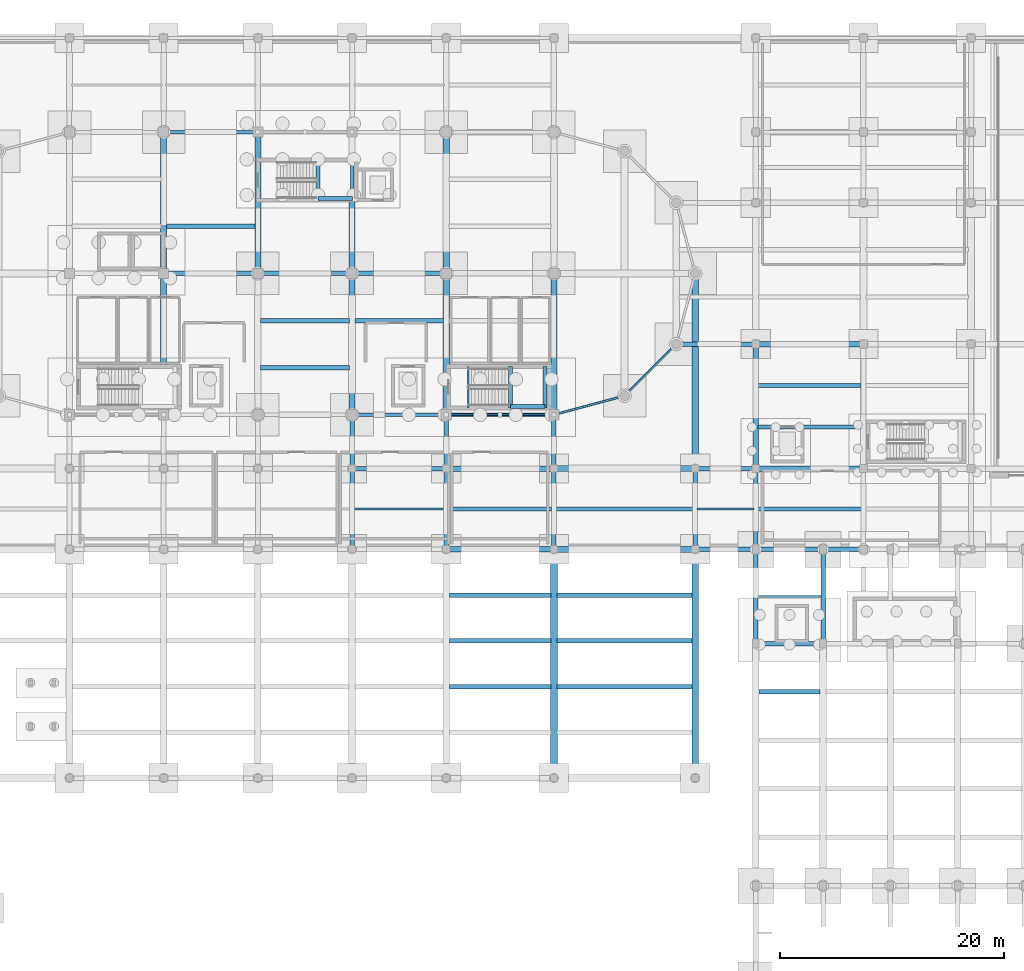
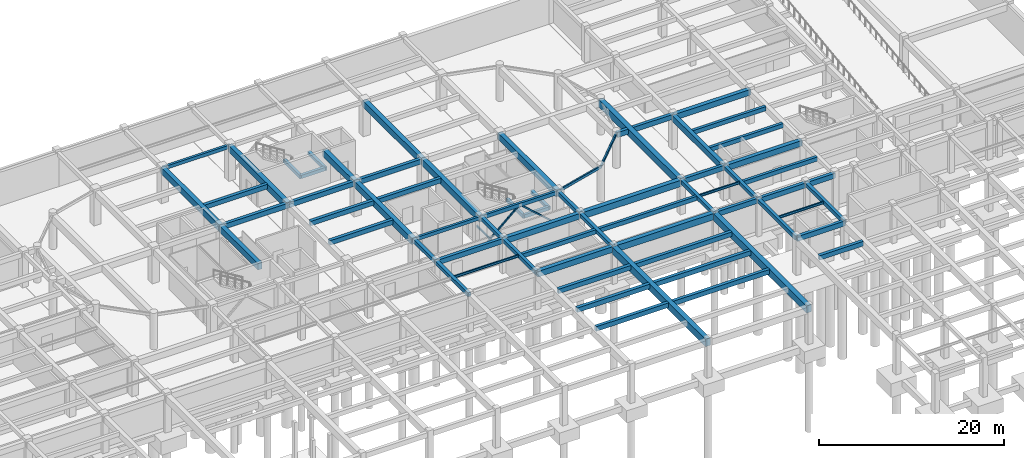
# One storey, part 17 of 37: 68 beams, 3 members.
"""IFC4 building model written with IfcOpenShell, lengths in metres."""

from ifc_helpers import new_model, si_unit, direction, frame, origin, origin_2d, place, context, subcontext, project, spatial, rectangle, hollow_rectangle, i_section, extrude, material, material_profile, profile_set, type_object, element, save


model = new_model("IFC4")

# Units and contexts
model_context = context("Model", 3, precision=1e-05, world=origin(), true_north=direction((0.0, 1.0)))
body_context = subcontext(model_context, "Body", "Model", "MODEL_VIEW")
ifc_project = project(units=[si_unit("LENGTHUNIT", "METRE"), si_unit("AREAUNIT", "SQUARE_METRE"), si_unit("VOLUMEUNIT", "CUBIC_METRE"), si_unit("PLANEANGLEUNIT", "RADIAN"), si_unit("MASSUNIT", "GRAM", prefix="KILO")], contexts=[model_context])

# Site, building, storey
site_placement = place(None, origin())
site = spatial("IfcSite", under=ifc_project, at=site_placement, CompositionType="ELEMENT")
building_placement = place(site_placement, origin())
building = spatial("IfcBuilding", under=site, at=building_placement, Name="Tarnavel Promenade Courthouse", CompositionType="ELEMENT")
storey_placement = place(building_placement, frame((0.0, 0.0, -4.800048828125)))
storey = spatial("IfcBuildingStorey", under=building, at=storey_placement, Name="B01", CompositionType="ELEMENT", Elevation=-4.800048828125)

# Beams
ifc_material_1 = material(Name="Concrete C40/50", Category="concrete")
ifc_material_profile_1 = material_profile(ifc_material_1, rectangle(XDim=0.35009765625, YDim=0.550048828125, at=origin_2d()), Name="PT 350x550")
ifc_profile_set_1 = profile_set([ifc_material_profile_1], Name="Concrete C40/50")
beam_type_1 = type_object("IfcBeamType", Name="Concrete C40/50 BM-PT-350x550 (PT 350x550)", PredefinedType="JOIST", material=ifc_profile_set_1)
beam_1_placement = place(storey_placement, frame((92.570068359375, 70.800048828125, 4.239990234375), z_axis=(1.0, 0.0, 0.0), x_axis=(0.0, 1.0, 0.0)))
element("IfcBeam", 1, at=beam_1_placement, inside=storey, type_object=beam_type_1, Name="B01 Secondary Floor Rib 0407", PredefinedType="JOIST", context=body_context, shape_type="SweptSolid", body=[
    extrude(rectangle(XDim=0.35009765625, YDim=0.550048828125, at=origin_2d()), origin(), (0.0, 0.0, 1.0), 9.260009765625),
])
beam_2_placement = place(storey_placement, frame((102.169921875, 70.800048828125, 4.239990234375), z_axis=(1.0, 0.0, 0.0), x_axis=(0.0, 1.0, 0.0)))
element("IfcBeam", 2, at=beam_2_placement, inside=storey, type_object=beam_type_1, Name="B01 Secondary Floor Rib 0408", PredefinedType="JOIST", context=body_context, shape_type="SweptSolid", body=[
    extrude(rectangle(XDim=0.35009765625, YDim=0.550048828125, at=origin_2d()), origin(), (0.0, 0.0, 1.0), 12.260009765625),
])
beam_3_placement = place(storey_placement, frame((120.169921875, 70.800048828125, 4.179931640625), z_axis=(1.0, 0.0, 0.0), x_axis=(0.0, 1.0, 0.0)))
element("IfcBeam", 3, at=beam_3_placement, inside=storey, type_object=beam_type_1, Name="B01 Secondary Floor Rib 0410", PredefinedType="JOIST", context=body_context, shape_type="SweptSolid", body=[
    extrude(rectangle(XDim=0.35009765625, YDim=0.550048828125, at=origin_2d()), origin(), (0.0, 0.0, 1.0), 9.260009765625),
])
for number, where, z_axis, x_axis, name in (
    (4, (120.219970703125, 78.10009765625, 4.179931640625), (1.0, 0.0, 0.0), (0.0, 1.0, 0.0), "B01 Secondary Floor Rib 0422"),
    (5, (120.219970703125, 81.800048828125, 4.179931640625), (1.0, 0.0, 0.0), (0.0, 1.0, 0.0), "B01 Secondary Floor Rib 0423"),
):
    element("IfcBeam", number, at=place(storey_placement, frame(where, z_axis=z_axis, x_axis=x_axis)), inside=storey, type_object=beam_type_1, Name=name, PredefinedType="JOIST", context=body_context, shape_type="SweptSolid", body=[
        extrude(rectangle(XDim=0.35009765625, YDim=0.550048828125, at=origin_2d()), origin(), (0.0, 0.0, 1.0), 9.159912109375),
    ])
ifc_material_profile_2 = material_profile(ifc_material_1, rectangle(XDim=0.39990234375, YDim=0.60009765625, at=origin_2d()), Name="PT 400x600")
ifc_profile_set_2 = profile_set([ifc_material_profile_2], Name="Concrete C40/50")
beam_type_2 = type_object("IfcBeamType", Name="Concrete C40/50 BM-PT-400x600 (PT 400x600)", PredefinedType="JOIST", material=ifc_profile_set_2)
for number, where, z_axis, x_axis, name in (
    (6, (92.669921875, 54.9599609375, 4.215087890625), (1.0, 0.0, 0.0), (0.0, 1.0, 0.0), "B01 Secondary Floor Rib 0489"),
    (7, (92.669921875, 59.0400390625, 4.215087890625), (1.0, 0.0, 0.0), (0.0, 1.0, 0.0), "B01 Secondary Floor Rib 0490"),
    (8, (92.669921875, 63.1201171875, 4.215087890625), (1.0, 0.0, 0.0), (0.0, 1.0, 0.0), "B01 Secondary Floor Rib 0491"),
):
    element("IfcBeam", number, at=place(storey_placement, frame(where, z_axis=z_axis, x_axis=x_axis)), inside=storey, type_object=beam_type_2, Name=name, PredefinedType="JOIST", context=body_context, shape_type="SweptSolid", body=[
        extrude(rectangle(XDim=0.39990234375, YDim=0.60009765625, at=origin_2d()), origin(), (0.0, 0.0, 1.0), 9.06005859375),
    ])
for number, where, z_axis, x_axis, name in (
    (9, (102.27001953125, 54.9599609375, 4.215087890625), (1.0, 0.0, 0.0), (0.0, 1.0, 0.0), "B01 Secondary Floor Rib 0493"),
    (10, (102.27001953125, 59.0400390625, 4.215087890625), (1.0, 0.0, 0.0), (0.0, 1.0, 0.0), "B01 Secondary Floor Rib 0494"),
    (11, (102.27001953125, 63.1201171875, 4.215087890625), (1.0, 0.0, 0.0), (0.0, 1.0, 0.0), "B01 Secondary Floor Rib 0495"),
):
    element("IfcBeam", number, at=place(storey_placement, frame(where, z_axis=z_axis, x_axis=x_axis)), inside=storey, type_object=beam_type_2, Name=name, PredefinedType="JOIST", context=body_context, shape_type="SweptSolid", body=[
        extrude(rectangle(XDim=0.39990234375, YDim=0.60009765625, at=origin_2d()), origin(), (0.0, 0.0, 1.0), 12.06005859375),
    ])
for number, where, z_axis, x_axis, name in (
    (12, (75.844970703125, 83.39990234375, 4.215087890625), (1.0, 0.0, 0.0), (0.0, 1.0, 0.0), "B01 Secondary Floor Rib 0496"),
    (13, (75.844970703125, 87.60009765625, 4.215087890625), (1.0, 0.0, 0.0), (0.0, 1.0, 0.0), "B01 Secondary Floor Rib 0497"),
    (14, (84.2451171875, 87.60009765625, 4.215087890625), (1.0, 0.0, 0.0), (0.0, 1.0, 0.0), "B01 Secondary Floor Rib 0498"),
    (15, (67.445068359375, 96.0, 4.215087890625), (1.0, 0.0, 0.0), (0.0, 1.0, 0.0), "B01 Secondary Floor Rib 0502"),
):
    element("IfcBeam", number, at=place(storey_placement, frame(where, z_axis=z_axis, x_axis=x_axis)), inside=storey, type_object=beam_type_2, Name=name, PredefinedType="JOIST", context=body_context, shape_type="SweptSolid", body=[
        extrude(rectangle(XDim=0.39990234375, YDim=0.60009765625, at=origin_2d()), origin(), (0.0, 0.0, 1.0), 7.909912109375),
    ])
beam_4_placement = place(storey_placement, frame((120.27001953125, 54.47998046875, 4.215087890625), z_axis=(1.0, 0.0, 0.0), x_axis=(0.0, 1.0, 0.0)))
element("IfcBeam", 16, at=beam_4_placement, inside=storey, type_object=beam_type_2, Name="B01 Secondary Floor Rib 0515", PredefinedType="JOIST", context=body_context, shape_type="SweptSolid", body=[
    extrude(rectangle(XDim=0.39990234375, YDim=0.60009765625, at=origin_2d()), origin(), (0.0, 0.0, 1.0), 5.4599609375),
])
ifc_material_profile_3 = material_profile(ifc_material_1, rectangle(XDim=0.5, YDim=0.800048828125, at=origin_2d()), Name="PT 500x800")
ifc_profile_set_3 = profile_set([ifc_material_profile_3], Name="Concrete C40/50")
beam_type_3 = type_object("IfcBeamType", Name="Concrete C40/50 BM-PT-500x800 (PT 500x800)", PredefinedType="T_BEAM", material=ifc_profile_set_3)
beam_5_placement = place(storey_placement, frame((120.0, 74.39990234375, 4.054931640625), z_axis=(0.0, 1.0, 0.0), x_axis=(-1.0, 0.0, 0.0)))
element("IfcBeam", 17, at=beam_5_placement, inside=storey, type_object=beam_type_3, Name="B01 Transverse Girder 0301", PredefinedType="T_BEAM", context=body_context, shape_type="SweptSolid", body=[
    extrude(rectangle(XDim=0.5, YDim=0.800048828125, at=origin_2d()), origin(), (0.0, 0.0, 1.0), 11.10009765625),
])
ifc_material_profile_4 = material_profile(ifc_material_1, rectangle(XDim=0.550048828125, YDim=0.85009765625, at=origin_2d()), Name="PT 550x850")
ifc_profile_set_4 = profile_set([ifc_material_profile_4], Name="Concrete C40/50")
beam_type_4 = type_object("IfcBeamType", Name="Concrete C40/50 BM-PT-550x850 (PT 550x850)", PredefinedType="T_BEAM", material=ifc_profile_set_4)
for number, where, z_axis, x_axis, name in (
    (18, (102.0, 67.199951171875, 4.090087890625), (1.0, 0.0, 0.0), (0.0, 1.0, 0.0), "B01 Primary Longitudinal Beam 0100"),
    (19, (102.0, 74.39990234375, 4.090087890625), (1.0, 0.0, 0.0), (0.0, 1.0, 0.0), "B01 Primary Longitudinal Beam 0123"),
):
    element("IfcBeam", number, at=place(storey_placement, frame(where, z_axis=z_axis, x_axis=x_axis)), inside=storey, type_object=beam_type_4, Name=name, PredefinedType="T_BEAM", context=body_context, shape_type="SweptSolid", body=[
        extrude(rectangle(XDim=0.550048828125, YDim=0.85009765625, at=origin_2d()), origin(), (0.0, 0.0, 1.0), 12.60009765625),
    ])
beam_6_placement = place(storey_placement, frame((67.199951171875, 83.3701171875, 4.090087890625), z_axis=(0.0, 1.0, 0.0), x_axis=(-1.0, 0.0, 0.0)))
element("IfcBeam", 20, at=beam_6_placement, inside=storey, type_object=beam_type_4, Name="B01 Transverse Girder 0259", PredefinedType="T_BEAM", context=body_context, shape_type="SweptSolid", body=[
    extrude(rectangle(XDim=0.550048828125, YDim=0.85009765625, at=origin_2d()), origin(), (0.0, 0.0, 1.0), 8.429931640625),
])
for number, where, z_axis, x_axis, name in (
    (21, (67.199951171875, 91.800048828125, 4.090087890625), (0.0, 1.0, 0.0), (-1.0, 0.0, 0.0), "B01 Transverse Girder 0260"),
    (22, (75.60009765625, 91.800048828125, 4.090087890625), (0.0, 1.0, 0.0), (-1.0, 0.0, 0.0), "B01 Transverse Girder 0267"),
):
    element("IfcBeam", number, at=place(storey_placement, frame(where, z_axis=z_axis, x_axis=x_axis)), inside=storey, type_object=beam_type_4, Name=name, PredefinedType="T_BEAM", context=body_context, shape_type="SweptSolid", body=[
        extrude(rectangle(XDim=0.550048828125, YDim=0.85009765625, at=origin_2d()), origin(), (0.0, 0.0, 1.0), 12.599853515625),
    ])
beam_7_placement = place(storey_placement, frame((84.0, 79.199951171875, 4.090087890625), z_axis=(0.0, 1.0, 0.0), x_axis=(-1.0, 0.0, 0.0)))
element("IfcBeam", 23, at=beam_7_placement, inside=storey, type_object=beam_type_4, Name="B01 Transverse Girder 0273", PredefinedType="T_BEAM", context=body_context, shape_type="SweptSolid", body=[
    extrude(rectangle(XDim=0.550048828125, YDim=0.85009765625, at=origin_2d()), origin(), (0.0, 0.0, 1.0), 12.60009765625),
])
beam_8_placement = place(storey_placement, frame((84.0, 91.800048828125, 4.090087890625), z_axis=(0.0, 1.0, 0.0), x_axis=(-1.0, 0.0, 0.0)))
element("IfcBeam", 24, at=beam_8_placement, inside=storey, type_object=beam_type_4, Name="B01 Transverse Girder 0274", PredefinedType="T_BEAM", context=body_context, shape_type="SweptSolid", body=[
    extrude(rectangle(XDim=0.550048828125, YDim=0.85009765625, at=origin_2d()), origin(), (0.0, 0.0, 1.0), 6.64990234375),
])
beam_9_placement = place(storey_placement, frame((92.39990234375, 79.199951171875, 4.090087890625), z_axis=(0.0, 1.0, 0.0), x_axis=(-1.0, 0.0, 0.0)))
element("IfcBeam", 25, at=beam_9_placement, inside=storey, type_object=beam_type_4, Name="B01 Transverse Girder 0281", PredefinedType="T_BEAM", context=body_context, shape_type="SweptSolid", body=[
    extrude(rectangle(XDim=0.550048828125, YDim=0.85009765625, at=origin_2d()), origin(), (0.0, 0.0, 1.0), 12.60009765625),
])
beam_10_placement = place(storey_placement, frame((92.39990234375, 91.800048828125, 4.090087890625), z_axis=(0.0, 1.0, 0.0), x_axis=(-1.0, 0.0, 0.0)))
element("IfcBeam", 26, at=beam_10_placement, inside=storey, type_object=beam_type_4, Name="B01 Transverse Girder 0282", PredefinedType="T_BEAM", context=body_context, shape_type="SweptSolid", body=[
    extrude(rectangle(XDim=0.550048828125, YDim=0.85009765625, at=origin_2d()), origin(), (0.0, 0.0, 1.0), 12.599853515625),
])
beam_11_placement = place(storey_placement, frame((102.0, 79.199951171875, 4.090087890625), z_axis=(0.0, 1.0, 0.0), x_axis=(-1.0, 0.0, 0.0)))
element("IfcBeam", 27, at=beam_11_placement, inside=storey, type_object=beam_type_4, Name="B01 Transverse Girder 0288", PredefinedType="T_BEAM", context=body_context, shape_type="SweptSolid", body=[
    extrude(rectangle(XDim=0.550048828125, YDim=0.85009765625, at=origin_2d()), origin(), (0.0, 0.0, 1.0), 12.60009765625),
])
ifc_material_profile_5 = material_profile(ifc_material_1, rectangle(XDim=0.60009765625, YDim=0.949951171875, at=origin_2d()), Name="PT 600x950")
ifc_profile_set_5 = profile_set([ifc_material_profile_5], Name="Concrete C40/50")
beam_type_5 = type_object("IfcBeamType", Name="Concrete C40/50 BM-PT-600x950 (PT 600x950)", PredefinedType="T_BEAM", material=ifc_profile_set_5)
for number, where, z_axis, x_axis, name in (
    (28, (102.0, 46.800048828125, 4.0400390625), (0.0, 1.0, 0.0), (-1.0, 0.0, 0.0), "B01 Transverse Girder 0285"),
    (29, (114.60009765625, 46.800048828125, 4.0400390625), (0.0, 1.0, 0.0), (-1.0, 0.0, 0.0), "B01 Transverse Girder 0294"),
):
    element("IfcBeam", number, at=place(storey_placement, frame(where, z_axis=z_axis, x_axis=x_axis)), inside=storey, type_object=beam_type_5, Name=name, PredefinedType="T_BEAM", context=body_context, shape_type="SweptSolid", body=[
        extrude(rectangle(XDim=0.60009765625, YDim=0.949951171875, at=origin_2d()), origin(), (0.0, 0.0, 1.0), 20.39990234375),
    ])
beam_12_placement = place(storey_placement, frame((114.60009765625, 74.39990234375, 4.0400390625), z_axis=(0.0, 1.0, 0.0), x_axis=(-1.0, 0.0, 0.0)))
element("IfcBeam", 30, at=beam_12_placement, inside=storey, type_object=beam_type_5, Name="B01 Transverse Girder 0296", PredefinedType="T_BEAM", context=body_context, shape_type="SweptSolid", body=[
    extrude(rectangle(XDim=0.60009765625, YDim=0.949951171875, at=origin_2d()), origin(), (0.0, 0.0, 1.0), 17.400146484375),
])
ifc_material_profile_6 = material_profile(ifc_material_1, rectangle(XDim=0.35009765625, YDim=0.449951171875, at=origin_2d()), Name="RC 350x450")
ifc_profile_set_6 = profile_set([ifc_material_profile_6], Name="Concrete C40/50")
beam_type_6 = type_object("IfcBeamType", Name="Concrete C40/50 BM-RC-350x450 (RC 350x450)", PredefinedType="BEAM", material=ifc_profile_set_6)
for number, where, z_axis, x_axis, name in (
    (31, (98.139892578125, 79.800048828125, 1.969970703125), (0.0, 1.0, 0.0), (-1.0, 0.0, 0.0), "B01 ST-02 Mid-Landing Support Beam Near"),
    (32, (101.219970703125, 79.800048828125, 1.969970703125), (0.0, 1.0, 0.0), (-1.0, 0.0, 0.0), "B01 ST-02 Mid-Landing Support Beam Far"),
):
    element("IfcBeam", number, at=place(storey_placement, frame(where, z_axis=z_axis, x_axis=x_axis)), inside=storey, type_object=beam_type_6, Name=name, PredefinedType="BEAM", context=body_context, shape_type="SweptSolid", body=[
        extrude(rectangle(XDim=0.35009765625, YDim=0.449951171875, at=origin_2d()), origin(), (0.0, 0.0, 1.0), 3.719970703125),
    ])
beam_13_placement = place(storey_placement, frame((98.139892578125, 79.949951171875, 1.969970703125), z_axis=(1.0, 0.0, 0.0), x_axis=(0.0, 1.0, 0.0)))
element("IfcBeam", 33, at=beam_13_placement, inside=storey, type_object=beam_type_6, Name="B01 ST-02 Mid-Landing Edge Trimmer", PredefinedType="BEAM", context=body_context, shape_type="SweptSolid", body=[
    extrude(rectangle(XDim=0.35009765625, YDim=0.449951171875, at=origin_2d()), origin(), (0.0, 0.0, 1.0), 3.080078125),
])
for number, where, z_axis, x_axis, name in (
    (34, (80.97998046875, 98.320068359375, 1.969970703125), (0.0, 1.0, 0.0), (-1.0, 0.0, 0.0), "B01 ST-03 Mid-Landing Support Beam Near"),
    (35, (84.02001953125, 98.320068359375, 1.969970703125), (0.0, 1.0, 0.0), (-1.0, 0.0, 0.0), "B01 ST-03 Mid-Landing Support Beam Far"),
):
    element("IfcBeam", number, at=place(storey_placement, frame(where, z_axis=z_axis, x_axis=x_axis)), inside=storey, type_object=beam_type_6, Name=name, PredefinedType="BEAM", context=body_context, shape_type="SweptSolid", body=[
        extrude(rectangle(XDim=0.35009765625, YDim=0.449951171875, at=origin_2d()), origin(), (0.0, 0.0, 1.0), 3.599853515625),
    ])
beam_14_placement = place(storey_placement, frame((80.97998046875, 98.469970703125, 1.969970703125), z_axis=(1.0, 0.0, 0.0), x_axis=(0.0, 1.0, 0.0)))
element("IfcBeam", 36, at=beam_14_placement, inside=storey, type_object=beam_type_6, Name="B01 ST-03 Mid-Landing Edge Trimmer", PredefinedType="BEAM", context=body_context, shape_type="SweptSolid", body=[
    extrude(rectangle(XDim=0.35009765625, YDim=0.449951171875, at=origin_2d()), origin(), (0.0, 0.0, 1.0), 3.0400390625),
])
ifc_material_profile_7 = material_profile(ifc_material_1, rectangle(XDim=0.39990234375, YDim=0.5, at=origin_2d()), Name="RC 400x500")
ifc_profile_set_7 = profile_set([ifc_material_profile_7], Name="Concrete C40/50")
beam_type_7 = type_object("IfcBeamType", Name="Concrete C40/50 BM-RC-400x500 (RC 400x500)", PredefinedType="BEAM", material=ifc_profile_set_7)
beam_15_placement = place(storey_placement, frame((84.0, 67.199951171875, 4.26513671875), z_axis=(0.0, 1.0, 0.0), x_axis=(-1.0, 0.0, 0.0)))
element("IfcBeam", 37, at=beam_15_placement, inside=storey, type_object=beam_type_7, Name="B01 Transverse Girder 0271", PredefinedType="BEAM", context=body_context, shape_type="SweptSolid", body=[
    extrude(rectangle(XDim=0.39990234375, YDim=0.5, at=origin_2d()), origin(), (0.0, 0.0, 1.0), 7.199951171875),
])
beam_16_placement = place(storey_placement, frame((84.0, 74.39990234375, 4.26513671875), z_axis=(0.0, 1.0, 0.0), x_axis=(-1.0, 0.0, 0.0)))
element("IfcBeam", 38, at=beam_16_placement, inside=storey, type_object=beam_type_7, Name="B01 Transverse Girder 0272", PredefinedType="BEAM", context=body_context, shape_type="SweptSolid", body=[
    extrude(rectangle(XDim=0.39990234375, YDim=0.5, at=origin_2d()), origin(), (0.0, 0.0, 1.0), 4.800048828125),
])
beam_17_placement = place(storey_placement, frame((92.39990234375, 67.199951171875, 4.26513671875), z_axis=(0.0, 1.0, 0.0), x_axis=(-1.0, 0.0, 0.0)))
element("IfcBeam", 39, at=beam_17_placement, inside=storey, type_object=beam_type_7, Name="B01 Transverse Girder 0279", PredefinedType="BEAM", context=body_context, shape_type="SweptSolid", body=[
    extrude(rectangle(XDim=0.39990234375, YDim=0.5, at=origin_2d()), origin(), (0.0, 0.0, 1.0), 7.199951171875),
])
beam_18_placement = place(storey_placement, frame((92.39990234375, 74.39990234375, 4.26513671875), z_axis=(0.0, 1.0, 0.0), x_axis=(-1.0, 0.0, 0.0)))
element("IfcBeam", 40, at=beam_18_placement, inside=storey, type_object=beam_type_7, Name="B01 Transverse Girder 0280", PredefinedType="BEAM", context=body_context, shape_type="SweptSolid", body=[
    extrude(rectangle(XDim=0.39990234375, YDim=0.5, at=origin_2d()), origin(), (0.0, 0.0, 1.0), 4.800048828125),
])
beam_19_placement = place(storey_placement, frame((102.0, 67.199951171875, 4.26513671875), z_axis=(0.0, 1.0, 0.0), x_axis=(-1.0, 0.0, 0.0)))
element("IfcBeam", 41, at=beam_19_placement, inside=storey, type_object=beam_type_7, Name="B01 Transverse Girder 0286", PredefinedType="BEAM", context=body_context, shape_type="SweptSolid", body=[
    extrude(rectangle(XDim=0.39990234375, YDim=0.5, at=origin_2d()), origin(), (0.0, 0.0, 1.0), 7.199951171875),
])
beam_20_placement = place(storey_placement, frame((102.0, 74.39990234375, 4.26513671875), z_axis=(0.0, 1.0, 0.0), x_axis=(-1.0, 0.0, 0.0)))
element("IfcBeam", 42, at=beam_20_placement, inside=storey, type_object=beam_type_7, Name="B01 Transverse Girder 0287", PredefinedType="BEAM", context=body_context, shape_type="SweptSolid", body=[
    extrude(rectangle(XDim=0.39990234375, YDim=0.5, at=origin_2d()), origin(), (0.0, 0.0, 1.0), 4.800048828125),
])
beam_21_placement = place(storey_placement, frame((114.60009765625, 67.199951171875, 4.26513671875), z_axis=(0.0, 1.0, 0.0), x_axis=(-1.0, 0.0, 0.0)))
element("IfcBeam", 43, at=beam_21_placement, inside=storey, type_object=beam_type_7, Name="B01 Transverse Girder 0295", PredefinedType="BEAM", context=body_context, shape_type="SweptSolid", body=[
    extrude(rectangle(XDim=0.39990234375, YDim=0.5, at=origin_2d()), origin(), (0.0, 0.0, 1.0), 7.199951171875),
])
beam_22_placement = place(storey_placement, frame((120.0, 58.800048828125, 4.26513671875), z_axis=(0.0, 1.0, 0.0), x_axis=(-1.0, 0.0, 0.0)))
element("IfcBeam", 44, at=beam_22_placement, inside=storey, type_object=beam_type_7, Name="B01 Transverse Girder 0299", PredefinedType="BEAM", context=body_context, shape_type="SweptSolid", body=[
    extrude(rectangle(XDim=0.39990234375, YDim=0.5, at=origin_2d()), origin(), (0.0, 0.0, 1.0), 8.39990234375),
])
beam_23_placement = place(storey_placement, frame((120.0, 67.199951171875, 4.205078125), z_axis=(0.0, 1.0, 0.0), x_axis=(-1.0, 0.0, 0.0)))
element("IfcBeam", 45, at=beam_23_placement, inside=storey, type_object=beam_type_7, Name="B01 Transverse Girder 0300", PredefinedType="BEAM", context=body_context, shape_type="SweptSolid", body=[
    extrude(rectangle(XDim=0.39990234375, YDim=0.5, at=origin_2d()), origin(), (0.0, 0.0, 1.0), 7.199951171875),
])
beam_24_placement = place(storey_placement, frame((126.0, 58.800048828125, 4.26513671875), z_axis=(0.0, 1.0, 0.0), x_axis=(-1.0, 0.0, 0.0)))
element("IfcBeam", 46, at=beam_24_placement, inside=storey, type_object=beam_type_7, Name="B01 Transverse Girder 0307", PredefinedType="BEAM", context=body_context, shape_type="SweptSolid", body=[
    extrude(rectangle(XDim=0.39990234375, YDim=0.5, at=origin_2d()), origin(), (0.0, 0.0, 1.0), 8.39990234375),
])
ifc_material_profile_8 = material_profile(ifc_material_1, rectangle(XDim=0.39990234375, YDim=0.64990234375, at=origin_2d()), Name="RC 400x650")
ifc_profile_set_8 = profile_set([ifc_material_profile_8], Name="Concrete C40/50")
beam_type_8 = type_object("IfcBeamType", Name="Concrete C40/50 BM-RC-400x650 (RC 400x650)", PredefinedType="BEAM", material=ifc_profile_set_8)
beam_25_placement = place(storey_placement, frame((120.0, 58.800048828125, 4.18994140625), z_axis=(1.0, 0.0, 0.0), x_axis=(0.0, 1.0, 0.0)))
element("IfcBeam", 47, at=beam_25_placement, inside=storey, type_object=beam_type_8, Name="B01 Primary Longitudinal Beam 0082", PredefinedType="BEAM", context=body_context, shape_type="SweptSolid", body=[
    extrude(rectangle(XDim=0.39990234375, YDim=0.64990234375, at=origin_2d()), origin(), (0.0, 0.0, 1.0), 6.0),
])
beam_26_placement = place(storey_placement, frame((114.60009765625, 67.199951171875, 4.18994140625), z_axis=(1.0, 0.0, 0.0), x_axis=(0.0, 1.0, 0.0)))
element("IfcBeam", 48, at=beam_26_placement, inside=storey, type_object=beam_type_8, Name="B01 Primary Longitudinal Beam 0101", PredefinedType="BEAM", context=body_context, shape_type="SweptSolid", body=[
    extrude(rectangle(XDim=0.39990234375, YDim=0.64990234375, at=origin_2d()), origin(), (0.0, 0.0, 1.0), 5.39990234375),
])
beam_27_placement = place(storey_placement, frame((120.0, 67.199951171875, 4.130126953125), z_axis=(1.0, 0.0, 0.0), x_axis=(0.0, 1.0, 0.0)))
element("IfcBeam", 49, at=beam_27_placement, inside=storey, type_object=beam_type_8, Name="B01 Primary Longitudinal Beam 0102", PredefinedType="BEAM", context=body_context, shape_type="SweptSolid", body=[
    extrude(rectangle(XDim=0.39990234375, YDim=0.64990234375, at=origin_2d()), origin(), (0.0, 0.0, 1.0), 6.0),
])
beam_28_placement = place(storey_placement, frame((126.0, 67.199951171875, 4.130126953125), z_axis=(1.0, 0.0, 0.0), x_axis=(0.0, 1.0, 0.0)))
element("IfcBeam", 50, at=beam_28_placement, inside=storey, type_object=beam_type_8, Name="B01 Primary Longitudinal Beam 0103", PredefinedType="BEAM", context=body_context, shape_type="SweptSolid", body=[
    extrude(rectangle(XDim=0.39990234375, YDim=0.64990234375, at=origin_2d()), origin(), (0.0, 0.0, 1.0), 3.60009765625),
])
beam_29_placement = place(storey_placement, frame((84.0, 74.39990234375, 4.18994140625), z_axis=(1.0, 0.0, 0.0), x_axis=(0.0, 1.0, 0.0)))
element("IfcBeam", 51, at=beam_29_placement, inside=storey, type_object=beam_type_8, Name="B01 Primary Longitudinal Beam 0121", PredefinedType="BEAM", context=body_context, shape_type="SweptSolid", body=[
    extrude(rectangle(XDim=0.39990234375, YDim=0.64990234375, at=origin_2d()), origin(), (0.0, 0.0, 1.0), 8.39990234375),
])
beam_30_placement = place(storey_placement, frame((114.60009765625, 74.39990234375, 4.18994140625), z_axis=(1.0, 0.0, 0.0), x_axis=(0.0, 1.0, 0.0)))
element("IfcBeam", 52, at=beam_30_placement, inside=storey, type_object=beam_type_8, Name="B01 Primary Longitudinal Beam 0124", PredefinedType="BEAM", context=body_context, shape_type="SweptSolid", body=[
    extrude(rectangle(XDim=0.39990234375, YDim=0.64990234375, at=origin_2d()), origin(), (0.0, 0.0, 1.0), 5.39990234375),
])
beam_31_placement = place(storey_placement, frame((112.911865234375, 85.5, 4.18994140625), z_axis=(1.0, 0.0, 0.0), x_axis=(0.0, 1.0, 0.0)))
element("IfcBeam", 53, at=beam_31_placement, inside=storey, type_object=beam_type_8, Name="B01 Primary Longitudinal Beam 0140", PredefinedType="BEAM", context=body_context, shape_type="SweptSolid", body=[
    extrude(rectangle(XDim=0.39990234375, YDim=0.64990234375, at=origin_2d()), origin(), (0.0, 0.0, 1.0), 7.088134765625),
])
beam_32_placement = place(storey_placement, frame((67.199951171875, 91.800048828125, 4.18994140625), z_axis=(1.0, 0.0, 0.0), x_axis=(0.0, 1.0, 0.0)))
element("IfcBeam", 54, at=beam_32_placement, inside=storey, type_object=beam_type_8, Name="B01 Primary Longitudinal Beam 0147", PredefinedType="BEAM", context=body_context, shape_type="SweptSolid", body=[
    extrude(rectangle(XDim=0.39990234375, YDim=0.64990234375, at=origin_2d()), origin(), (0.0, 0.0, 1.0), 8.400146484375),
])
for number, where, z_axis, x_axis, name in (
    (55, (75.60009765625, 91.800048828125, 4.18994140625), (1.0, 0.0, 0.0), (0.0, 1.0, 0.0), "B01 Primary Longitudinal Beam 0148"),
    (56, (84.0, 91.800048828125, 4.18994140625), (1.0, 0.0, 0.0), (0.0, 1.0, 0.0), "B01 Primary Longitudinal Beam 0149"),
):
    element("IfcBeam", number, at=place(storey_placement, frame(where, z_axis=z_axis, x_axis=x_axis)), inside=storey, type_object=beam_type_8, Name=name, PredefinedType="BEAM", context=body_context, shape_type="SweptSolid", body=[
        extrude(rectangle(XDim=0.39990234375, YDim=0.64990234375, at=origin_2d()), origin(), (0.0, 0.0, 1.0), 8.39990234375),
    ])
ifc_material_profile_9 = material_profile(ifc_material_1, rectangle(XDim=0.5, YDim=0.75, at=origin_2d()), Name="RC 500x750")
ifc_profile_set_9 = profile_set([ifc_material_profile_9], Name="Concrete C40/50")
beam_type_9 = type_object("IfcBeamType", Name="Concrete C40/50 BM-RC-500x750 (RC 500x750)", PredefinedType="T_BEAM", material=ifc_profile_set_9)
for number, where, z_axis, x_axis, name in (
    (57, (92.39990234375, 67.199951171875, 4.14013671875), (1.0, 0.0, 0.0), (0.0, 1.0, 0.0), "B01 Primary Longitudinal Beam 0099"),
    (58, (92.39990234375, 74.39990234375, 4.14013671875), (1.0, 0.0, 0.0), (0.0, 1.0, 0.0), "B01 Primary Longitudinal Beam 0122"),
    (59, (120.0, 74.39990234375, 4.080078125), (1.0, 0.0, 0.0), (0.0, 1.0, 0.0), "B01 Primary Longitudinal Beam 0125"),
    (60, (120.0, 85.5, 4.080078125), (1.0, 0.0, 0.0), (0.0, 1.0, 0.0), "B01 Primary Longitudinal Beam 0141"),
):
    element("IfcBeam", number, at=place(storey_placement, frame(where, z_axis=z_axis, x_axis=x_axis)), inside=storey, type_object=beam_type_9, Name=name, PredefinedType="T_BEAM", context=body_context, shape_type="SweptSolid", body=[
        extrude(rectangle(XDim=0.5, YDim=0.75, at=origin_2d()), origin(), (0.0, 0.0, 1.0), 9.60009765625),
    ])
ifc_material_profile_10 = material_profile(ifc_material_1, rectangle(XDim=0.300048828125, YDim=0.449951171875, at=origin_2d()), Name="RC 300x450")
ifc_profile_set_10 = profile_set([ifc_material_profile_10], Name="Concrete C40/50")
beam_type_10 = type_object("IfcBeamType", Name="Concrete C40/50 BM-SP-300x450 (RC 300x450)", PredefinedType="SPANDREL", material=ifc_profile_set_10)
beam_33_placement = place(storey_placement, frame((84.0, 79.199951171875, 4.2900390625), z_axis=(1.0, 0.0, 0.0), x_axis=(0.0, 1.0, 0.0)))
element("IfcBeam", 61, at=beam_33_placement, inside=storey, type_object=beam_type_10, Name="B01 Primary Longitudinal Beam 0132", PredefinedType="SPANDREL", context=body_context, shape_type="SweptSolid", body=[
    extrude(rectangle(XDim=0.300048828125, YDim=0.449951171875, at=origin_2d()), origin(), (0.0, 0.0, 1.0), 8.39990234375),
])
beam_34_placement = place(storey_placement, frame((67.199951171875, 104.39990234375, 4.2900390625), z_axis=(1.0, 0.0, 0.0), x_axis=(0.0, 1.0, 0.0)))
element("IfcBeam", 62, at=beam_34_placement, inside=storey, type_object=beam_type_10, Name="B01 Primary Longitudinal Beam 0164", PredefinedType="SPANDREL", context=body_context, shape_type="SweptSolid", body=[
    extrude(rectangle(XDim=0.300048828125, YDim=0.449951171875, at=origin_2d()), origin(), (0.0, 0.0, 1.0), 8.400146484375),
])
ifc_material_profile_11 = material_profile(ifc_material_1, rectangle(XDim=0.300048828125, YDim=0.5, at=origin_2d()), Name="RC 300x500")
ifc_profile_set_11 = profile_set([ifc_material_profile_11], Name="Concrete C40/50")
beam_type_11 = type_object("IfcBeamType", Name="Concrete C40/50 BM-SP-300x500 (RC 300x500)", PredefinedType="SPANDREL", material=ifc_profile_set_11)
beam_35_placement = place(storey_placement, frame((92.39990234375, 79.199951171875, 4.26513671875), z_axis=(1.0, 0.0, 0.0), x_axis=(0.0, 1.0, 0.0)))
element("IfcBeam", 63, at=beam_35_placement, inside=storey, type_object=beam_type_11, Name="B01 Primary Longitudinal Beam 0133", PredefinedType="SPANDREL", context=body_context, shape_type="SweptSolid", body=[
    extrude(rectangle(XDim=0.300048828125, YDim=0.5, at=origin_2d()), origin(), (0.0, 0.0, 1.0), 9.60009765625),
])
ifc_material_2 = material(Name="Steel S355J2", Category="steel")
ifc_material_profile_12 = material_profile(ifc_material_2, i_section(OverallWidth=0.159912109375, OverallDepth=0.330078125, WebThickness=0.007568359375, FlangeThickness=0.011474609375, FilletRadius=0.01806640625, at=origin_2d()), Name="IPE 330")
ifc_profile_set_12 = profile_set([ifc_material_profile_12], Name="Steel S355J2")
beam_type_12 = type_object("IfcBeamType", Name="Steel S355J2 BM-ST-IPE330 (IPE 330)", PredefinedType="JOIST", material=ifc_profile_set_12)
beam_36_placement = place(storey_placement, frame((84.169921875, 70.800048828125, 4.35009765625), z_axis=(1.0, 0.0, 0.0), x_axis=(0.0, 1.0, 0.0)))
element("IfcBeam", 64, at=beam_36_placement, inside=storey, type_object=beam_type_12, Name="B01 Secondary Floor Rib 0406", PredefinedType="JOIST", context=body_context, shape_type="SweptSolid", body=[
    extrude(i_section(OverallWidth=0.159912109375, OverallDepth=0.330078125, WebThickness=0.007568359375, FlangeThickness=0.011474609375, FilletRadius=0.01806640625, at=origin_2d()), origin(), (0.0, 0.0, 1.0), 8.06005859375),
])
beam_37_placement = place(storey_placement, frame((114.77001953125, 70.800048828125, 4.35009765625), z_axis=(1.0, 0.0, 0.0), x_axis=(0.0, 1.0, 0.0)))
element("IfcBeam", 65, at=beam_37_placement, inside=storey, type_object=beam_type_12, Name="B01 Secondary Floor Rib 0409", PredefinedType="JOIST", context=body_context, shape_type="SweptSolid", body=[
    extrude(i_section(OverallWidth=0.159912109375, OverallDepth=0.330078125, WebThickness=0.007568359375, FlangeThickness=0.011474609375, FilletRadius=0.01806640625, at=origin_2d()), origin(), (0.0, 0.0, 1.0), 5.06005859375),
])
beam_38_placement = place(storey_placement, frame((120.169921875, 63.0, 4.35009765625), z_axis=(1.0, 0.0, 0.0), x_axis=(0.0, 1.0, 0.0)))
element("IfcBeam", 66, at=beam_38_placement, inside=storey, type_object=beam_type_12, Name="B01 Secondary Floor Rib 0540", PredefinedType="JOIST", context=body_context, shape_type="SweptSolid", body=[
    extrude(i_section(OverallWidth=0.159912109375, OverallDepth=0.330078125, WebThickness=0.007568359375, FlangeThickness=0.011474609375, FilletRadius=0.01806640625, at=origin_2d()), origin(), (0.0, 0.0, 1.0), 5.66015625),
])
ifc_material_profile_13 = material_profile(ifc_material_2, hollow_rectangle(XDim=0.199951171875, YDim=0.35009765625, WallThickness=0.012451171875, InnerFilletRadius=0.012451171875, OuterFilletRadius=0.02490234375, at=origin_2d()), Name="RHS 350x200x12.5")
ifc_profile_set_13 = profile_set([ifc_material_profile_13], Name="Steel S355J2")
beam_type_13 = type_object("IfcBeamType", Name="Steel S355J2 BM-ST-RHS350 (RHS 350x200x12.5)", PredefinedType="SPANDREL", material=ifc_profile_set_13)
beam_39_placement = place(storey_placement, frame((102.0, 79.199951171875, 4.340087890625), z_axis=(0.965920481897, 0.258838989821, 0.0), x_axis=(-0.258838989821, 0.965920481897, 0.0)))
element("IfcBeam", 67, at=beam_39_placement, inside=storey, type_object=beam_type_13, Name="B01 Drum Ring Spandrel 0552", PredefinedType="SPANDREL", context=body_context, shape_type="SweptSolid", body=[
    extrude(hollow_rectangle(XDim=0.199951171875, YDim=0.35009765625, WallThickness=0.012451171875, InnerFilletRadius=0.012451171875, OuterFilletRadius=0.02490234375, at=origin_2d()), origin(), (0.0, 0.0, 1.0), 6.522216796875),
])
beam_40_placement = place(storey_placement, frame((108.300048828125, 80.88818359375, 4.340087890625), z_axis=(0.707106781187, 0.707106781187, 0.0), x_axis=(-0.707106781187, 0.707106781187, 0.0)))
element("IfcBeam", 68, at=beam_40_placement, inside=storey, type_object=beam_type_13, Name="B01 Drum Ring Spandrel 0553", PredefinedType="SPANDREL", context=body_context, shape_type="SweptSolid", body=[
    extrude(hollow_rectangle(XDim=0.199951171875, YDim=0.35009765625, WallThickness=0.012451171875, InnerFilletRadius=0.012451171875, OuterFilletRadius=0.02490234375, at=origin_2d()), origin(), (0.0, 0.0, 1.0), 6.52197265625),
])

# Members
ifc_material_profile_14 = material_profile(ifc_material_2, hollow_rectangle(XDim=0.179931640625, YDim=0.179931640625, WallThickness=0.010009765625, InnerFilletRadius=0.010009765625, OuterFilletRadius=0.02001953125, at=origin_2d()), Name="SHS 180x180x10")
ifc_profile_set_14 = profile_set([ifc_material_profile_14], Name="Steel S355J2")
member_type_1 = type_object("IfcMemberType", Name="Steel S355J2 MEM-BR-SHS180 (SHS 180x180x10)", PredefinedType="BRACE", material=ifc_profile_set_14)
for number, where, z_axis, x_axis, name in (
    (69, (92.39990234375, 79.199951171875, 0.0), (0.747530973365, 0.0, 0.664226952072), (0.0, 1.0, 0.0), "B01 V5 Chevron Brace A 011"),
    (70, (102.0, 79.199951171875, 0.0), (-0.747530973365, 0.0, 0.664226952072), (0.0, -1.0, 0.0), "B01 V5 Chevron Brace B 011"),
):
    element("IfcMember", number, at=place(storey_placement, frame(where, z_axis=z_axis, x_axis=x_axis)), inside=storey, type_object=member_type_1, Name=name, PredefinedType="BRACE", context=body_context, shape_type="SweptSolid", body=[
        extrude(hollow_rectangle(XDim=0.179931640625, YDim=0.179931640625, WallThickness=0.010009765625, InnerFilletRadius=0.010009765625, OuterFilletRadius=0.02001953125, at=origin_2d()), origin(), (0.0, 0.0, 1.0), 6.421142578125),
    ])
ifc_material_profile_15 = material_profile(ifc_material_2, hollow_rectangle(XDim=0.14990234375, YDim=0.25, WallThickness=0.010009765625, InnerFilletRadius=0.010009765625, OuterFilletRadius=0.02001953125, at=origin_2d()), Name="RHS 250x150x10")
ifc_profile_set_15 = profile_set([ifc_material_profile_15], Name="Steel S355J2")
member_type_2 = type_object("IfcMemberType", Name="Steel S355J2 Stair Stringer MEM-STR-250 (RHS 250x150x10)", PredefinedType="STRINGER", material=ifc_profile_set_15)
member_placement = place(storey_placement, frame((94.360107421875, 79.800048828125, -0.179931640625), z_axis=(0.0, 1.0, 0.0), x_axis=(-1.0, 0.0, 0.0)))
element("IfcMember", 71, at=member_placement, inside=storey, type_object=member_type_2, Name="B01 ST-02 Stair Header Stringer", PredefinedType="STRINGER", context=body_context, shape_type="SweptSolid", body=[
    extrude(hollow_rectangle(XDim=0.14990234375, YDim=0.25, WallThickness=0.010009765625, InnerFilletRadius=0.010009765625, OuterFilletRadius=0.02001953125, at=origin_2d()), origin(), (0.0, 0.0, 1.0), 3.719970703125),
])

save(model, "model.ifc")
